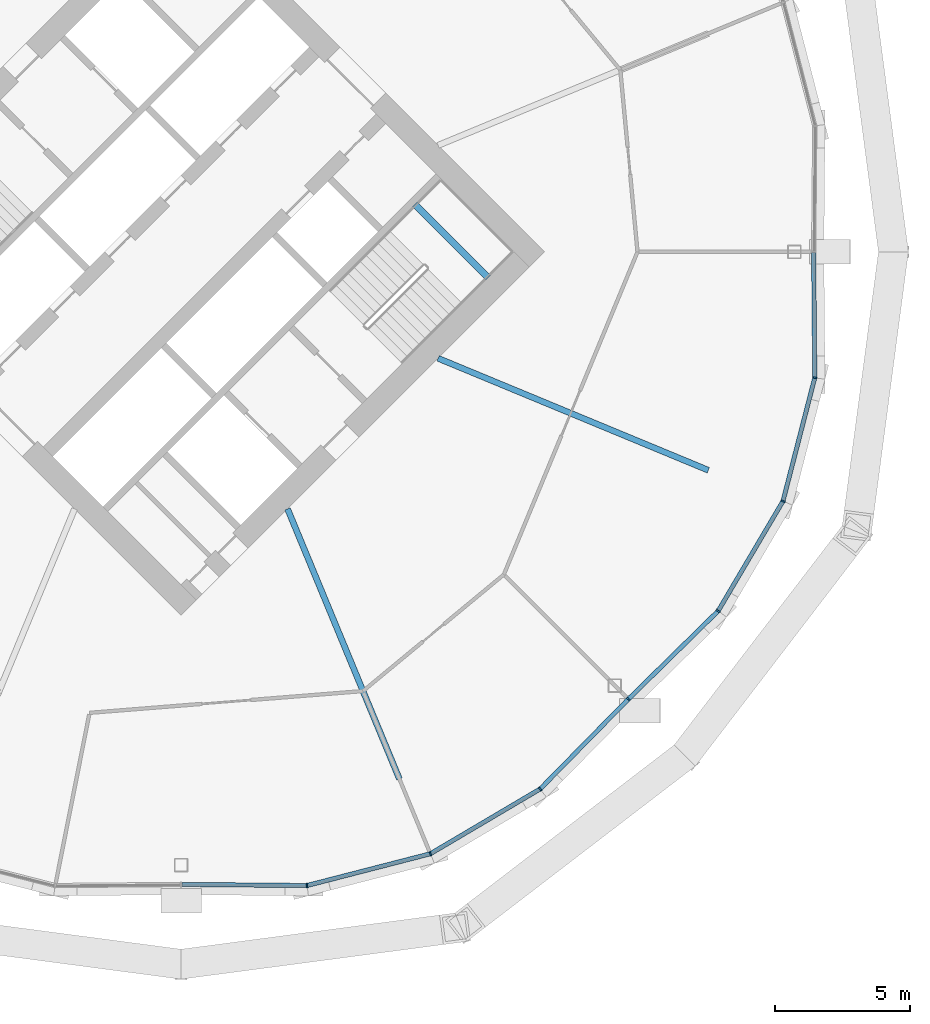
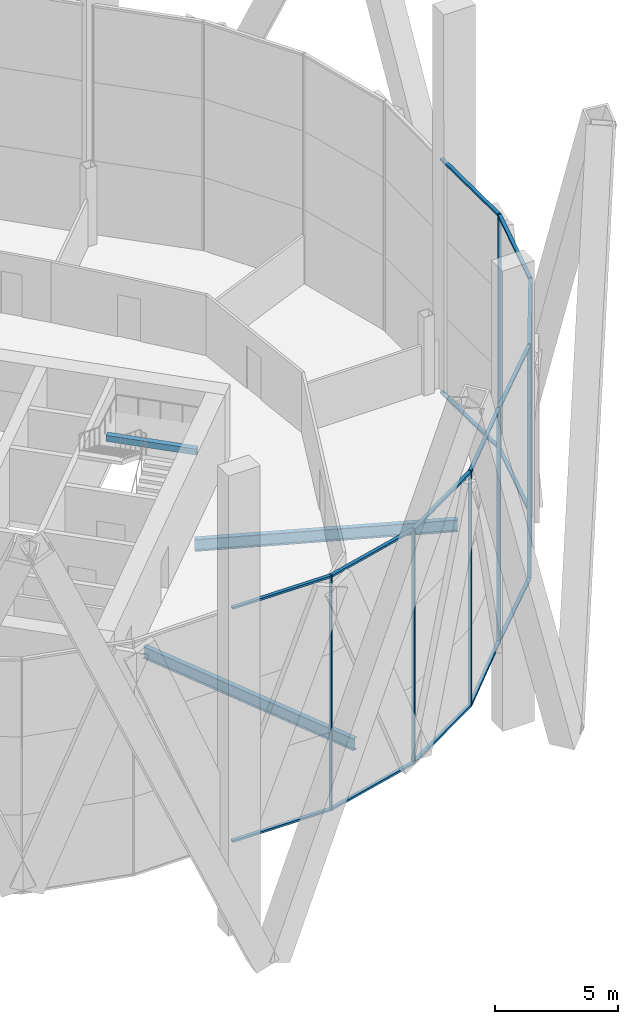
# One storey, part 11 of 26: 23 members, 3 beams, 2 elements without a shape of their own.
"""IFC4 building model written with IfcOpenShell, lengths in metres."""

from ifc_helpers import new_model, si_unit, direction, frame, origin, origin_2d, place, context, subcontext, project, spatial, rectangle, i_section, extrude, material, material_profile, profile_set, type_object, element, aggregate, save


model = new_model("IFC4")

# Units and contexts
model_context = context("Model", 3, precision=1e-05, world=origin(), true_north=direction((0.0, 1.0)))
body_context = subcontext(model_context, "Body", "Model", "MODEL_VIEW")
ifc_project = project(units=[si_unit("LENGTHUNIT", "METRE"), si_unit("AREAUNIT", "SQUARE_METRE"), si_unit("VOLUMEUNIT", "CUBIC_METRE"), si_unit("PLANEANGLEUNIT", "RADIAN"), si_unit("MASSUNIT", "GRAM", prefix="KILO")], contexts=[model_context])

# Site, building, storey
site_placement = place(None, origin())
site = spatial("IfcSite", under=ifc_project, at=site_placement, CompositionType="ELEMENT")
building_placement = place(site_placement, origin())
building = spatial("IfcBuilding", under=site, at=building_placement, Name="Ogive Gate Towers", CompositionType="ELEMENT")
storey_placement = place(building_placement, frame((0.0, 0.0, 76.199951171875)))
storey = spatial("IfcBuildingStorey", under=building, at=storey_placement, Name="L17", CompositionType="ELEMENT", Elevation=76.199951171875)

# Beams
ifc_material_1 = material(Name="Concrete C40/50", Category="concrete")
ifc_material_profile_1 = material_profile(ifc_material_1, rectangle(XDim=0.25, YDim=0.300048828125, at=origin_2d()), Name="RC 250x300")
ifc_profile_set_1 = profile_set([ifc_material_profile_1], Name="Concrete C40/50")
beam_type_1 = type_object("IfcBeamType", Name="Landing bearer RC 250x300", PredefinedType="BEAM", material=ifc_profile_set_1)
beam_placement = place(storey_placement, frame((47.349609375, -0.9541015625, 1.60009765625), z_axis=(-0.707106781187, 0.707106781187, 0.0), x_axis=(-0.707106781187, -0.707106781187, 0.0)))
element("IfcBeam", 1, at=beam_placement, inside=storey, type_object=beam_type_1, Name="T2 L17 stair 2 landing bearer 1", PredefinedType="BEAM", context=body_context, shape_type="SweptSolid", body=[
    extrude(rectangle(XDim=0.25, YDim=0.300048828125, at=origin_2d()), origin(), (0.0, 0.0, 1.0), 3.824951171875),
])
ifc_material_2 = material(Name="Steel SM355", Category="steel")
ifc_material_profile_2 = material_profile(ifc_material_2, i_section(OverallWidth=0.219970703125, OverallDepth=0.60009765625, WebThickness=0.011962890625, FlangeThickness=0.01904296875, FilletRadius=0.02392578125, at=origin_2d()), Name="IPE 600")
ifc_profile_set_2 = profile_set([ifc_material_profile_2], Name="Steel SM355")
beam_type_2 = type_object("IfcBeamType", Name="Radial floor beam IPE 600", PredefinedType="BEAM", material=ifc_profile_set_2)
for number, where, z_axis, x_axis, name in (
    (2, (39.93505859375, -9.5, -0.599853515625), (0.382675609774, -0.923882772696, 0.0), (0.923882772696, 0.382675609774, 0.0), "T2/L17/SBM002"),
    (3, (45.5, -3.93505859375, -0.599853515625), (0.923882772696, -0.382675609774, 0.0), (0.382675609774, 0.923882772696, 0.0), "T2/L17/SBM003"),
):
    element("IfcBeam", number, at=place(storey_placement, frame(where, z_axis=z_axis, x_axis=x_axis)), inside=storey, type_object=beam_type_2, Name=name, PredefinedType="BEAM", context=body_context, shape_type="SweptSolid", body=[
        extrude(i_section(OverallWidth=0.219970703125, OverallDepth=0.60009765625, WebThickness=0.011962890625, FlangeThickness=0.01904296875, FilletRadius=0.02392578125, at=origin_2d()), origin(), (0.0, 0.0, 1.0), 10.809326171875),
    ])

# Curtain wall, members
ifc_material_3 = material(Name="Pale metal aluminium", Category="aluminium")
curtain_wall_type = type_object("IfcCurtainWallType", Name="Tower unitised wall, low zone", PredefinedType="NOTDEFINED", material=ifc_material_3)
curtain_wall_1_placement = place(storey_placement, origin())
curtain_wall_1 = element("IfcCurtainWall", 4, at=curtain_wall_1_placement, inside=storey, type_object=curtain_wall_type, Name="CW1 T2 ECW07", PredefinedType="NOTDEFINED")
ifc_material_profile_3 = material_profile(ifc_material_3, rectangle(XDim=0.159912109375, YDim=0.06005859375, at=origin_2d()), Name="60 x 160 aluminium box")
ifc_profile_set_3 = profile_set([ifc_material_profile_3], Name="Pale metal aluminium")
member_type_1 = type_object("IfcMemberType", Name="Tower unitised wall, low zone mullion 60 x 160", PredefinedType="MULLION", material=ifc_profile_set_3)
member_1_placement = place(storey_placement, frame((40.653076171875, -23.4228515625, -0.300048828125), z_axis=(0.0, 0.0, 1.0), x_axis=(0.121141736398, -0.992635219858, 0.0)))
member_1 = element("IfcMember", 5, at=member_1_placement, type_object=member_type_1, Name="CW1 mullion", PredefinedType="MULLION", context=body_context, shape_type="SweptSolid", body=[
    extrude(rectangle(XDim=0.159912109375, YDim=0.06005859375, at=origin_2d()), origin(), (0.0, 0.0, 1.0), 11.7001953125),
])
member_2_placement = place(storey_placement, frame((45.21533203125, -22.247802734375, -0.300048828125), z_axis=(0.0, 0.0, 1.0), x_axis=(0.382683432365, -0.923879532511, 0.0)))
member_2 = element("IfcMember", 6, at=member_2_placement, type_object=member_type_1, Name="CW1 mullion", PredefinedType="MULLION", context=body_context, shape_type="SweptSolid", body=[
    extrude(rectangle(XDim=0.159912109375, YDim=0.06005859375, at=origin_2d()), origin(), (0.0, 0.0, 1.0), 11.7001953125),
])
member_3_placement = place(storey_placement, frame((49.2724609375, -19.8525390625, -0.300048828125), z_axis=(0.0, 0.0, 1.0), x_axis=(0.616238951915, -0.787559238498, 0.0)))
member_3 = element("IfcMember", 7, at=member_3_placement, type_object=member_type_1, Name="CW1 mullion", PredefinedType="MULLION", context=body_context, shape_type="SweptSolid", body=[
    extrude(rectangle(XDim=0.159912109375, YDim=0.06005859375, at=origin_2d()), origin(), (0.0, 0.0, 1.0), 11.7001953125),
])
member_4_placement = place(storey_placement, frame((52.531982421875, -16.5322265625, -0.300048828125), z_axis=(0.0, 0.0, 1.0), x_axis=(0.713568438241, -0.700585529358, 0.0)))
member_4 = element("IfcMember", 8, at=member_4_placement, type_object=member_type_1, Name="CW1 mullion", PredefinedType="MULLION", context=body_context, shape_type="SweptSolid", body=[
    extrude(rectangle(XDim=0.159912109375, YDim=0.06005859375, at=origin_2d()), origin(), (0.0, 0.0, 1.0), 11.7001953125),
])

curtain_wall_2_placement = place(storey_placement, origin())
curtain_wall_2 = element("IfcCurtainWall", 9, at=curtain_wall_2_placement, inside=storey, type_object=curtain_wall_type, Name="CW1 T2 ECW08", PredefinedType="NOTDEFINED")
member_5_placement = place(storey_placement, frame((55.8525390625, -13.2724609375, -0.300048828125), z_axis=(0.0, 0.0, 1.0), x_axis=(0.787559238498, -0.616238951915, 0.0)))
member_5 = element("IfcMember", 10, at=member_5_placement, type_object=member_type_1, Name="CW1 mullion", PredefinedType="MULLION", context=body_context, shape_type="SweptSolid", body=[
    extrude(rectangle(XDim=0.159912109375, YDim=0.06005859375, at=origin_2d()), origin(), (0.0, 0.0, 1.0), 11.7001953125),
])
member_6_placement = place(storey_placement, frame((58.247802734375, -9.21533203125, -0.300048828125), z_axis=(0.0, 0.0, 1.0), x_axis=(0.923879532511, -0.382683432365, 0.0)))
member_6 = element("IfcMember", 11, at=member_6_placement, type_object=member_type_1, Name="CW1 mullion", PredefinedType="MULLION", context=body_context, shape_type="SweptSolid", body=[
    extrude(rectangle(XDim=0.159912109375, YDim=0.06005859375, at=origin_2d()), origin(), (0.0, 0.0, 1.0), 11.7001953125),
])
member_7_placement = place(storey_placement, frame((59.4228515625, -4.653076171875, -0.300048828125), z_axis=(0.0, 0.0, 1.0), x_axis=(0.992635219858, -0.121141736398, 0.0)))
member_7 = element("IfcMember", 12, at=member_7_placement, type_object=member_type_1, Name="CW1 mullion", PredefinedType="MULLION", context=body_context, shape_type="SweptSolid", body=[
    extrude(rectangle(XDim=0.159912109375, YDim=0.06005859375, at=origin_2d()), origin(), (0.0, 0.0, 1.0), 11.7001953125),
])

# Member
ifc_material_profile_4 = material_profile(ifc_material_3, rectangle(XDim=0.159912109375, YDim=0.10009765625, at=origin_2d()), Name="100 x 160 aluminium box")
ifc_profile_set_4 = profile_set([ifc_material_profile_4], Name="Pale metal aluminium")
member_type_2 = type_object("IfcMemberType", Name="Tower unitised wall, low zone transom 100 x 160", PredefinedType="USERDEFINED", material=ifc_profile_set_4)
member_8_placement = place(storey_placement, frame((36.0302734375, -23.38037109375, 11.35009765625), z_axis=(0.999957762018, -0.009190983574, 0.0), x_axis=(0.009190983574, 0.999957762018, 0.0)))
member_8 = element("IfcMember", 13, at=member_8_placement, type_object=member_type_2, Name="CW1 transom", ObjectType="TRANSOM", PredefinedType="USERDEFINED", context=body_context, shape_type="SweptSolid", body=[
    extrude(rectangle(XDim=0.159912109375, YDim=0.10009765625, at=origin_2d()), origin(), (0.0, 0.0, 1.0), 4.595458984375),
])

member_9_placement = place(storey_placement, frame((36.0302734375, -23.38037109375, -0.25), z_axis=(0.999957762018, -0.009190983574, 0.0), x_axis=(0.009190983574, 0.999957762018, 0.0)))
member_9 = element("IfcMember", 14, at=member_9_placement, type_object=member_type_2, Name="CW1 transom", ObjectType="TRANSOM", PredefinedType="USERDEFINED", context=body_context, shape_type="SweptSolid", body=[
    extrude(rectangle(XDim=0.159912109375, YDim=0.10009765625, at=origin_2d()), origin(), (0.0, 0.0, 1.0), 4.595458984375),
])

member_10_placement = place(storey_placement, frame((40.679443359375, -23.416015625, 11.35009765625), z_axis=(0.968390972422, 0.249437215612, 0.0), x_axis=(-0.249437215612, 0.968390972422, 0.0)))
member_10 = element("IfcMember", 15, at=member_10_placement, type_object=member_type_2, Name="CW1 transom", ObjectType="TRANSOM", PredefinedType="USERDEFINED", context=body_context, shape_type="SweptSolid", body=[
    extrude(rectangle(XDim=0.159912109375, YDim=0.10009765625, at=origin_2d()), origin(), (0.0, 0.0, 1.0), 4.656982421875),
])

member_11_placement = place(storey_placement, frame((40.679443359375, -23.416015625, -0.25), z_axis=(0.968390972422, 0.249437215612, 0.0), x_axis=(-0.249437215612, 0.968390972422, 0.0)))
member_11 = element("IfcMember", 16, at=member_11_placement, type_object=member_type_2, Name="CW1 transom", ObjectType="TRANSOM", PredefinedType="USERDEFINED", context=body_context, shape_type="SweptSolid", body=[
    extrude(rectangle(XDim=0.159912109375, YDim=0.10009765625, at=origin_2d()), origin(), (0.0, 0.0, 1.0), 4.656982421875),
])

member_12_placement = place(storey_placement, frame((45.23876953125, -22.23388671875, 11.35009765625), z_axis=(0.861125816028, 0.508391904902, 0.0), x_axis=(-0.508391904902, 0.861125816028, 0.0)))
member_12 = element("IfcMember", 17, at=member_12_placement, type_object=member_type_2, Name="CW1 transom", ObjectType="TRANSOM", PredefinedType="USERDEFINED", context=body_context, shape_type="SweptSolid", body=[
    extrude(rectangle(XDim=0.159912109375, YDim=0.10009765625, at=origin_2d()), origin(), (0.0, 0.0, 1.0), 4.65673828125),
])

member_13_placement = place(storey_placement, frame((45.23876953125, -22.23388671875, -0.25), z_axis=(0.861125816028, 0.508391904902, 0.0), x_axis=(-0.508391904902, 0.861125816028, 0.0)))
member_13 = element("IfcMember", 18, at=member_13_placement, type_object=member_type_2, Name="CW1 transom", ObjectType="TRANSOM", PredefinedType="USERDEFINED", context=body_context, shape_type="SweptSolid", body=[
    extrude(rectangle(XDim=0.159912109375, YDim=0.10009765625, at=origin_2d()), origin(), (0.0, 0.0, 1.0), 4.65673828125),
])

member_14_placement = place(storey_placement, frame((49.29150390625, -19.8330078125, 11.35009765625), z_axis=(0.700568931342, 0.713584733888, 0.0), x_axis=(-0.713584733888, 0.700568931342, 0.0)))
member_14 = element("IfcMember", 19, at=member_14_placement, type_object=member_type_2, Name="CW1 transom", ObjectType="TRANSOM", PredefinedType="USERDEFINED", context=body_context, shape_type="SweptSolid", body=[
    extrude(rectangle(XDim=0.159912109375, YDim=0.10009765625, at=origin_2d()), origin(), (0.0, 0.0, 1.0), 4.595458984375),
])

member_15_placement = place(storey_placement, frame((49.29150390625, -19.8330078125, -0.25), z_axis=(0.700568931342, 0.713584733888, 0.0), x_axis=(-0.713584733888, 0.700568931342, 0.0)))
member_15 = element("IfcMember", 20, at=member_15_placement, type_object=member_type_2, Name="CW1 transom", ObjectType="TRANSOM", PredefinedType="USERDEFINED", context=body_context, shape_type="SweptSolid", body=[
    extrude(rectangle(XDim=0.159912109375, YDim=0.10009765625, at=origin_2d()), origin(), (0.0, 0.0, 1.0), 4.595458984375),
])

aggregate(curtain_wall_1, [member_1, member_8, member_9, member_2, member_10, member_11, member_3, member_12, member_13, member_4, member_14, member_15])

member_16_placement = place(storey_placement, frame((52.5537109375, -16.510986328125, 11.35009765625), z_axis=(0.713584733888, 0.700568931342, 0.0), x_axis=(-0.700568931342, 0.713584733888, 0.0)))
member_16 = element("IfcMember", 21, at=member_16_placement, type_object=member_type_2, Name="CW1 transom", ObjectType="TRANSOM", PredefinedType="USERDEFINED", context=body_context, shape_type="SweptSolid", body=[
    extrude(rectangle(XDim=0.159912109375, YDim=0.10009765625, at=origin_2d()), origin(), (0.0, 0.0, 1.0), 4.595458984375),
])

member_17_placement = place(storey_placement, frame((52.5537109375, -16.510986328125, -0.25), z_axis=(0.713584733888, 0.700568931342, 0.0), x_axis=(-0.700568931342, 0.713584733888, 0.0)))
member_17 = element("IfcMember", 22, at=member_17_placement, type_object=member_type_2, Name="CW1 transom", ObjectType="TRANSOM", PredefinedType="USERDEFINED", context=body_context, shape_type="SweptSolid", body=[
    extrude(rectangle(XDim=0.159912109375, YDim=0.10009765625, at=origin_2d()), origin(), (0.0, 0.0, 1.0), 4.595458984375),
])

member_18_placement = place(storey_placement, frame((55.866455078125, -13.248779296875, 11.35009765625), z_axis=(0.508391904902, 0.861125816028, 0.0), x_axis=(-0.861125816028, 0.508391904902, 0.0)))
member_18 = element("IfcMember", 23, at=member_18_placement, type_object=member_type_2, Name="CW1 transom", ObjectType="TRANSOM", PredefinedType="USERDEFINED", context=body_context, shape_type="SweptSolid", body=[
    extrude(rectangle(XDim=0.159912109375, YDim=0.10009765625, at=origin_2d()), origin(), (0.0, 0.0, 1.0), 4.65673828125),
])

member_19_placement = place(storey_placement, frame((55.866455078125, -13.248779296875, -0.25), z_axis=(0.508391904902, 0.861125816028, 0.0), x_axis=(-0.861125816028, 0.508391904902, 0.0)))
member_19 = element("IfcMember", 24, at=member_19_placement, type_object=member_type_2, Name="CW1 transom", ObjectType="TRANSOM", PredefinedType="USERDEFINED", context=body_context, shape_type="SweptSolid", body=[
    extrude(rectangle(XDim=0.159912109375, YDim=0.10009765625, at=origin_2d()), origin(), (0.0, 0.0, 1.0), 4.65673828125),
])

member_20_placement = place(storey_placement, frame((58.25439453125, -9.189208984375, 11.35009765625), z_axis=(0.249437215612, 0.968390972422, 0.0), x_axis=(-0.968390972422, 0.249437215612, 0.0)))
member_20 = element("IfcMember", 25, at=member_20_placement, type_object=member_type_2, Name="CW1 transom", ObjectType="TRANSOM", PredefinedType="USERDEFINED", context=body_context, shape_type="SweptSolid", body=[
    extrude(rectangle(XDim=0.159912109375, YDim=0.10009765625, at=origin_2d()), origin(), (0.0, 0.0, 1.0), 4.656982421875),
])

member_21_placement = place(storey_placement, frame((58.25439453125, -9.189208984375, -0.25), z_axis=(0.249437215612, 0.968390972422, 0.0), x_axis=(-0.968390972422, 0.249437215612, 0.0)))
member_21 = element("IfcMember", 26, at=member_21_placement, type_object=member_type_2, Name="CW1 transom", ObjectType="TRANSOM", PredefinedType="USERDEFINED", context=body_context, shape_type="SweptSolid", body=[
    extrude(rectangle(XDim=0.159912109375, YDim=0.10009765625, at=origin_2d()), origin(), (0.0, 0.0, 1.0), 4.656982421875),
])

member_22_placement = place(storey_placement, frame((59.422607421875, -4.62548828125, 11.35009765625), z_axis=(-0.009190983574, 0.999957762018, 0.0), x_axis=(-0.999957762018, -0.009190983574, 0.0)))
member_22 = element("IfcMember", 27, at=member_22_placement, type_object=member_type_2, Name="CW1 transom", ObjectType="TRANSOM", PredefinedType="USERDEFINED", context=body_context, shape_type="SweptSolid", body=[
    extrude(rectangle(XDim=0.159912109375, YDim=0.10009765625, at=origin_2d()), origin(), (0.0, 0.0, 1.0), 4.595458984375),
])

member_23_placement = place(storey_placement, frame((59.422607421875, -4.62548828125, -0.25), z_axis=(-0.009190983574, 0.999957762018, 0.0), x_axis=(-0.999957762018, -0.009190983574, 0.0)))
member_23 = element("IfcMember", 28, at=member_23_placement, type_object=member_type_2, Name="CW1 transom", ObjectType="TRANSOM", PredefinedType="USERDEFINED", context=body_context, shape_type="SweptSolid", body=[
    extrude(rectangle(XDim=0.159912109375, YDim=0.10009765625, at=origin_2d()), origin(), (0.0, 0.0, 1.0), 4.595458984375),
])

aggregate(curtain_wall_2, [member_5, member_16, member_17, member_6, member_18, member_19, member_7, member_20, member_21, member_22, member_23])

save(model, "model.ifc")
